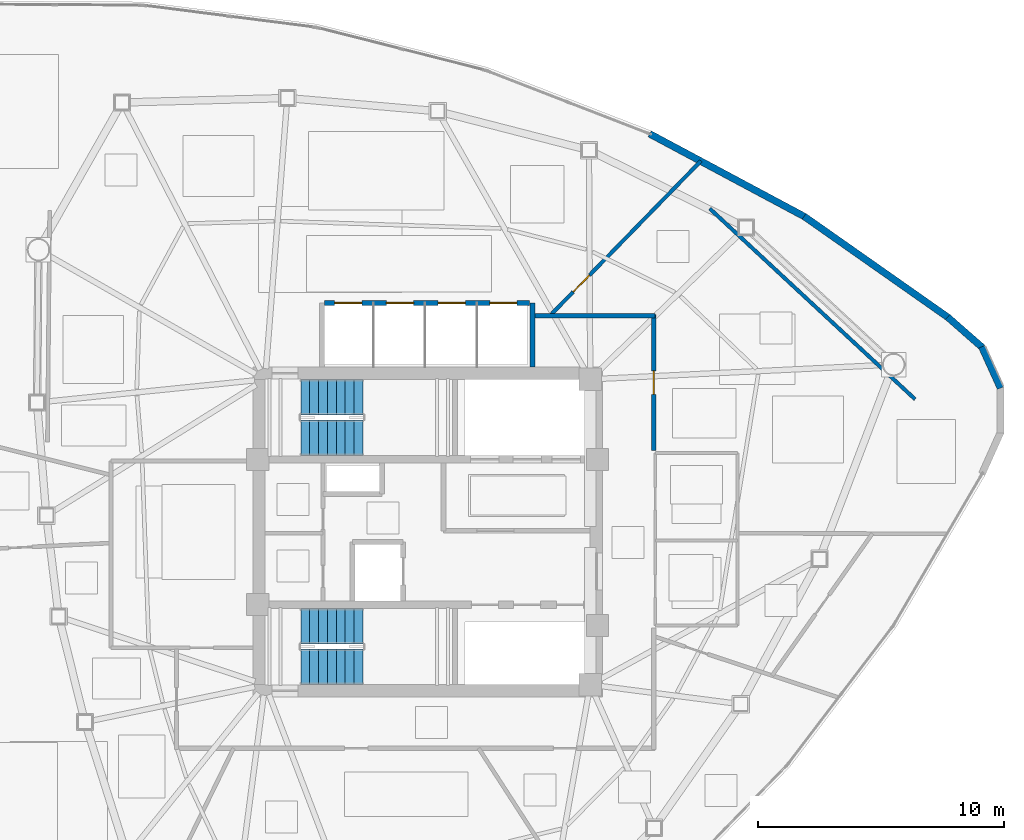
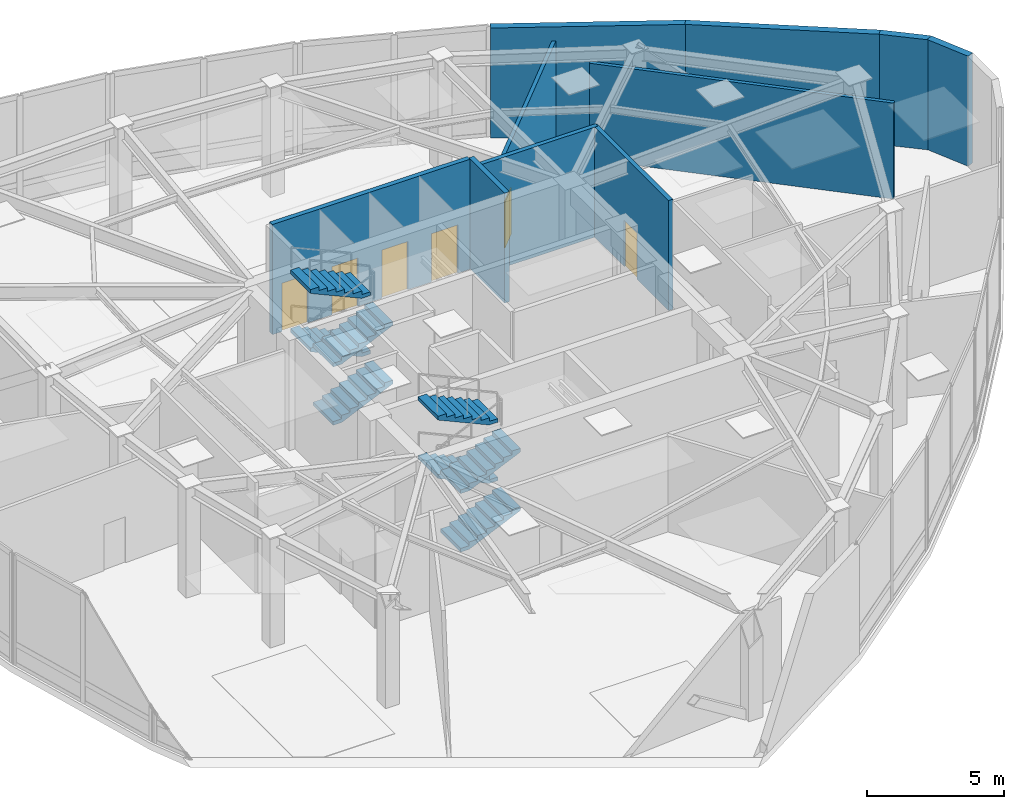
# One storey, part 10 of 12: 10 walls, 8 stair flights, 6 doors, 6 openings, 2 elements without a shape of their own.
"""IFC4 building model written with IfcOpenShell, lengths in metres."""

from ifc_helpers import new_model, si_unit, direction, frame, frame_2d, origin, place, context, subcontext, project, spatial, polyline, rectangle, outline, extrude, material, layer, layer_set, type_object, element, fill, aggregate, save


model = new_model("IFC4")

# Units and contexts
model_context = context("Model", 3, precision=1e-05, world=origin(), true_north=direction((0.0, 1.0)))
body_context = subcontext(model_context, "Body", "Model", "MODEL_VIEW")
ifc_project = project(units=[si_unit("LENGTHUNIT", "METRE"), si_unit("AREAUNIT", "SQUARE_METRE"), si_unit("VOLUMEUNIT", "CUBIC_METRE"), si_unit("PLANEANGLEUNIT", "RADIAN"), si_unit("MASSUNIT", "GRAM", prefix="KILO")], contexts=[model_context])

# Site, building, storey
site_placement = place(None, origin())
site = spatial("IfcSite", under=ifc_project, at=site_placement, CompositionType="ELEMENT")
building_placement = place(site_placement, origin())
building = spatial("IfcBuilding", under=site, at=building_placement, Name="Tavelor Broadcast Tower", CompositionType="ELEMENT")
storey_placement = place(building_placement, frame((0.0, 0.0, 216.949951171875)))
storey = spatial("IfcBuildingStorey", under=building, at=storey_placement, Name="L51", CompositionType="ELEMENT", Elevation=216.949951171875)

# Wall
ifc_material_1 = material(Name="Calcium Silicate Fire Board 180 mm", Category="gypsum")
ifc_layer_1 = layer(ifc_material_1, 0.179931640625)
ifc_layer_set_1 = layer_set([ifc_layer_1], Name="Calcium Silicate Fire Board 180 mm")
wall_type_1 = type_object("IfcWallType", Name="Fire-Rated Corridor Partition Wall 180 mm", PredefinedType="PARTITIONING", material=ifc_layer_set_1)
wall_1_placement = place(storey_placement, frame((54.300048828125, 53.780029296875, 0.0), z_axis=(0.0, 0.0, 1.0), x_axis=(1.0, 0.0, 0.0)))
element("IfcWall", 1, at=wall_1_placement, inside=storey, type_object=wall_type_1, Name="L51 Corridor Compartment Wall 01", PredefinedType="PARTITIONING", context=body_context, shape_type="SweptSolid", body=[
    extrude(rectangle(XDim=4.929931640625, YDim=0.179931640625, at=frame_2d((2.46484375, 0.0))), origin(), (0.0, 0.0, 1.0), 4.900146484375),
])

# Wall, opening, door
wall_2_placement = place(storey_placement, frame((59.179931640625, 53.830078125, 0.0), z_axis=(0.0, 0.0, 1.0), x_axis=(0.0, -1.0, 0.0)))
wall_2 = element("IfcWall", 2, at=wall_2_placement, inside=storey, type_object=wall_type_1, Name="L51 Corridor Compartment Wall 02", PredefinedType="PARTITIONING", context=body_context, shape_type="SweptSolid", body=[
    extrude(rectangle(XDim=5.530029296875, YDim=0.179931640625, at=frame_2d((2.76513671875, 0.0))), origin(), (0.0, 0.0, 1.0), 4.900146484375),
])
opening_1_placement = place(wall_2_placement, frame((2.2900390625, 0.0, 0.0)))
opening_1 = element("IfcOpeningElement", 3, at=opening_1_placement, cuts=wall_2, Name="Opening DR18", PredefinedType="OPENING", context=body_context, shape_type="SweptSolid", body=[
    extrude(rectangle(XDim=0.949951171875, YDim=2.050048828125, at=frame_2d((0.47509765625, 1.02490234375))), frame((0.0, 0.10009765625, 0.0), z_axis=(0.0, -1.0, 0.0), x_axis=(1.0, 0.0, 0.0)), (0.0, 0.0, 1.0), 0.199951171875),
])
ifc_material_2 = material(Name="Timber Solid Core Hardwood", Category="wood")
door_type_1 = type_object("IfcDoorType", Name="Corridor Rated Compartment Door 950x2050", OperationType="NOTDEFINED", PredefinedType="DOOR", material=ifc_material_2)
door_1_placement = place(opening_1_placement, origin())
door_1 = element("IfcDoor", 4, at=door_1_placement, inside=storey, type_object=door_type_1, Name="L51 Press Concierge Desk Door R0", OperationType="SINGLE_SWING_RIGHT", OverallHeight=2.050048828125, OverallWidth=0.949951171875, PredefinedType="DOOR", context=body_context, shape_type="SweptSolid", body=[
    extrude(rectangle(XDim=0.949951171875, YDim=2.050048828125, at=frame_2d((0.47509765625, 1.02490234375))), frame((0.0, 0.02490234375, 0.0), z_axis=(0.0, -1.0, 0.0), x_axis=(1.0, 0.0, 0.0)), (0.0, 0.0, 1.0), 0.050048828125),
])
fill(opening_1, door_1)

# Walls
ifc_material_3 = material(Name="Precast Concrete C40/50", Category="concrete")
ifc_layer_2 = layer(ifc_material_3, 0.280029296875)
ifc_layer_set_2 = layer_set([ifc_layer_2], Name="Precast Concrete C40/50")
wall_type_2 = type_object("IfcWallType", Name="Insulated Precast Terracotta Facade Wall 280 mm", PredefinedType="STANDARD", material=ifc_layer_set_2)
wall_3_placement = place(storey_placement, frame((73.26123046875, 50.841796875, 0.0), z_axis=(0.0, 0.0, 1.0), x_axis=(-0.413922618183, 0.910312070752, 0.0)))
element("IfcWall", 5, at=wall_3_placement, inside=storey, type_object=wall_type_2, Name="L51 Rounded Corner Structural Cladding Pier 23", PredefinedType="STANDARD", context=body_context, shape_type="SweptSolid", body=[
    extrude(rectangle(XDim=1.844482421875, YDim=0.280029296875, at=frame_2d((0.92236328125, 0.0))), origin(), (0.0, 0.0, 1.0), 4.900146484375),
])
wall_4_placement = place(storey_placement, frame((72.515380859375, 52.497314453125, 0.0), z_axis=(0.0, 0.0, 1.0), x_axis=(-0.751879649431, 0.659300381292, 0.0)))
element("IfcWall", 6, at=wall_4_placement, inside=storey, type_object=wall_type_2, Name="L51 Rounded Corner Structural Cladding Pier 24", PredefinedType="STANDARD", context=body_context, shape_type="SweptSolid", body=[
    extrude(rectangle(XDim=1.8671875, YDim=0.280029296875, at=frame_2d((0.93359375, 0.0))), origin(), (0.0, 0.0, 1.0), 4.900146484375),
])
wall_5_placement = place(storey_placement, frame((71.135009765625, 53.709716796875, 0.0), z_axis=(0.0, 0.0, 1.0), x_axis=(-0.818379197985, 0.574678595656, 0.0)))
element("IfcWall", 7, at=wall_5_placement, inside=storey, type_object=wall_type_2, Name="L51 Rounded Corner Structural Cladding Pier 25", PredefinedType="STANDARD", context=body_context, shape_type="SweptSolid", body=[
    extrude(rectangle(XDim=7.14990234375, YDim=0.280029296875, at=frame_2d((3.574951171875, 0.0))), origin(), (0.0, 0.0, 1.0), 4.900146484375),
])
wall_6_placement = place(storey_placement, frame((65.309326171875, 57.802734375, 0.0), z_axis=(0.0, 0.0, 1.0), x_axis=(-0.881918919903, 0.471401122948, 0.0)))
element("IfcWall", 8, at=wall_6_placement, inside=storey, type_object=wall_type_2, Name="L51 Rounded Corner Structural Cladding Pier 26", PredefinedType="STANDARD", context=body_context, shape_type="SweptSolid", body=[
    extrude(rectangle(XDim=7.1376953125, YDim=0.280029296875, at=frame_2d((3.56884765625, 0.0))), origin(), (0.0, 0.0, 1.0), 4.900146484375),
])
ifc_material_4 = material(Name="Gypsum Acoustic Plasterboard 150 mm", Category="gypsum")
ifc_layer_3 = layer(ifc_material_4, 0.14990234375)
ifc_layer_set_3 = layer_set([ifc_layer_3], Name="Gypsum Acoustic Plasterboard 150 mm")
wall_type_3 = type_object("IfcWallType", Name="Interior Acoustic Partition Wall 150 mm", PredefinedType="PARTITIONING", material=ifc_layer_set_3)
wall_7_placement = place(storey_placement, frame((69.79248046875, 50.387939453125, 0.0), z_axis=(0.0, 0.0, 1.0), x_axis=(-0.732769799181, 0.680476613418, 0.0)))
element("IfcWall", 9, at=wall_7_placement, inside=storey, type_object=wall_type_3, Name="L51 Corner Tube Brace Furring Wall 3", PredefinedType="PARTITIONING", context=body_context, shape_type="SweptSolid", body=[
    extrude(rectangle(XDim=11.377685546875, YDim=0.14990234375, at=frame_2d((5.68896484375, 0.0))), origin(), (0.0, 0.0, 1.0), 4.275146484375),
])

# Wall, opening, door
wall_8_placement = place(storey_placement, frame((54.96240234375, 53.780029296875, 0.0), z_axis=(0.0, 0.0, 1.0), x_axis=(0.698183146772, 0.715919194856, 0.0)))
wall_8 = element("IfcWall", 10, at=wall_8_placement, inside=storey, type_object=wall_type_3, Name="L51 Radial Compartment Wall 05", PredefinedType="PARTITIONING", context=body_context, shape_type="SweptSolid", body=[
    extrude(rectangle(XDim=8.7822265625, YDim=0.14990234375, at=frame_2d((4.39111328125, 0.0))), origin(), (0.0, 0.0, 1.0), 4.275146484375),
])
opening_2_placement = place(wall_8_placement, frame((1.35009765625, 0.0, 0.0)))
opening_2 = element("IfcOpeningElement", 11, at=opening_2_placement, cuts=wall_8, Name="Opening DR18", PredefinedType="OPENING", context=body_context, shape_type="SweptSolid", body=[
    extrude(rectangle(XDim=0.949951171875, YDim=2.050048828125, at=frame_2d((0.47509765625, 1.02490234375))), frame((0.0, 0.0849609375, 0.0), z_axis=(0.0, -1.0, 0.0), x_axis=(1.0, 0.0, 0.0)), (0.0, 0.0, 1.0), 0.169921875),
])
door_2_placement = place(opening_2_placement, origin())
door_2 = element("IfcDoor", 12, at=door_2_placement, inside=storey, type_object=door_type_1, Name="L51 Suite Connecting Door 6", OperationType="SINGLE_SWING_LEFT", OverallHeight=2.050048828125, OverallWidth=0.949951171875, PredefinedType="DOOR", context=body_context, shape_type="SweptSolid", body=[
    extrude(rectangle(XDim=0.949951171875, YDim=2.050048828125, at=frame_2d((0.47509765625, 1.02490234375))), frame((0.0, 0.02490234375, 0.0), z_axis=(0.0, -1.0, 0.0), x_axis=(1.0, 0.0, 0.0)), (0.0, 0.0, 1.0), 0.050048828125),
])
fill(opening_2, door_2)

# Wall, openings, doors
ifc_material_5 = material(Name="Concrete Blockwork 200 mm", Category="masonry")
ifc_layer_4 = layer(ifc_material_5, 0.199951171875)
ifc_layer_set_4 = layer_set([ifc_layer_4], Name="Concrete Blockwork 200 mm")
wall_type_4 = type_object("IfcWallType", Name="Lift Hoistway Rated Front Wall 200 mm", PredefinedType="PARTITIONING", material=ifc_layer_set_4)
wall_9_placement = place(storey_placement, frame((45.820068359375, 54.300048828125, 0.0), z_axis=(0.0, 0.0, 1.0), x_axis=(1.0, 0.0, 0.0)))
wall_9 = element("IfcWall", 13, at=wall_9_placement, inside=storey, type_object=wall_type_4, Name="L51 High-Rise Lift Hoistway Front Wall", PredefinedType="PARTITIONING", context=body_context, shape_type="SweptSolid", body=[
    extrude(rectangle(XDim=8.309814453125, YDim=0.199951171875, at=frame_2d((4.15478515625, 0.0))), origin(), (0.0, 0.0, 1.0), 4.900146484375),
])
opening_3_placement = place(wall_9_placement, frame((0.405029296875, 0.0, 0.0)))
opening_3 = element("IfcOpeningElement", 14, at=opening_3_placement, cuts=wall_9, Name="Opening LD01", PredefinedType="OPENING", context=body_context, shape_type="SweptSolid", body=[
    extrude(rectangle(XDim=1.10009765625, YDim=2.14990234375, at=frame_2d((0.550048828125, 1.074951171875))), frame((0.0, 0.10986328125, 0.0), z_axis=(0.0, -1.0, 0.0), x_axis=(1.0, 0.0, 0.0)), (0.0, 0.0, 1.0), 0.219970703125),
])
opening_4_placement = place(wall_9_placement, frame((2.5048828125, 0.0, 0.0)))
opening_4 = element("IfcOpeningElement", 15, at=opening_4_placement, cuts=wall_9, Name="Opening LD01", PredefinedType="OPENING", context=body_context, shape_type="SweptSolid", body=[
    extrude(rectangle(XDim=1.10009765625, YDim=2.14990234375, at=frame_2d((0.550048828125, 1.074951171875))), frame((0.0, 0.10986328125, 0.0), z_axis=(0.0, -1.0, 0.0), x_axis=(1.0, 0.0, 0.0)), (0.0, 0.0, 1.0), 0.219970703125),
])
opening_5_placement = place(wall_9_placement, frame((4.60498046875, 0.0, 0.0)))
opening_5 = element("IfcOpeningElement", 16, at=opening_5_placement, cuts=wall_9, Name="Opening LD01", PredefinedType="OPENING", context=body_context, shape_type="SweptSolid", body=[
    extrude(rectangle(XDim=1.10009765625, YDim=2.14990234375, at=frame_2d((0.550048828125, 1.074951171875))), frame((0.0, 0.10986328125, 0.0), z_axis=(0.0, -1.0, 0.0), x_axis=(1.0, 0.0, 0.0)), (0.0, 0.0, 1.0), 0.219970703125),
])
opening_6_placement = place(wall_9_placement, frame((6.705078125, 0.0, 0.0)))
opening_6 = element("IfcOpeningElement", 17, at=opening_6_placement, cuts=wall_9, Name="Opening LD01", PredefinedType="OPENING", context=body_context, shape_type="SweptSolid", body=[
    extrude(rectangle(XDim=1.10009765625, YDim=2.14990234375, at=frame_2d((0.550048828125, 1.074951171875))), frame((0.0, 0.10986328125, 0.0), z_axis=(0.0, -1.0, 0.0), x_axis=(1.0, 0.0, 0.0)), (0.0, 0.0, 1.0), 0.219970703125),
])
ifc_material_6 = material(Name="Brushed Stainless Steel", Category="steel")
door_type_2 = type_object("IfcDoorType", Name="Passenger Lift Sliding Landing Door 1100x2150", OperationType="NOTDEFINED", PredefinedType="DOOR", material=ifc_material_6)
door_3_placement = place(opening_3_placement, origin())
door_3 = element("IfcDoor", 18, at=door_3_placement, inside=storey, type_object=door_type_2, Name="L51 Lift PLH1 Sliding Landing Door", OperationType="SLIDING_TO_LEFT", OverallHeight=2.14990234375, OverallWidth=1.10009765625, PredefinedType="DOOR", context=body_context, shape_type="SweptSolid", body=[
    extrude(rectangle(XDim=1.10009765625, YDim=2.14990234375, at=frame_2d((0.550048828125, 1.074951171875))), frame((0.0, 0.02490234375, 0.0), z_axis=(0.0, -1.0, 0.0), x_axis=(1.0, 0.0, 0.0)), (0.0, 0.0, 1.0), 0.050048828125),
])
fill(opening_3, door_3)
door_4_placement = place(opening_4_placement, origin())
door_4 = element("IfcDoor", 19, at=door_4_placement, inside=storey, type_object=door_type_2, Name="L51 Lift PLH2 Sliding Landing Door", OperationType="SLIDING_TO_RIGHT", OverallHeight=2.14990234375, OverallWidth=1.10009765625, PredefinedType="DOOR", context=body_context, shape_type="SweptSolid", body=[
    extrude(rectangle(XDim=1.10009765625, YDim=2.14990234375, at=frame_2d((0.550048828125, 1.074951171875))), frame((0.0, 0.02490234375, 0.0), z_axis=(0.0, -1.0, 0.0), x_axis=(1.0, 0.0, 0.0)), (0.0, 0.0, 1.0), 0.050048828125),
])
fill(opening_4, door_4)
door_5_placement = place(opening_5_placement, origin())
door_5 = element("IfcDoor", 20, at=door_5_placement, inside=storey, type_object=door_type_2, Name="L51 Lift PLH3 Sliding Landing Door", OperationType="SLIDING_TO_LEFT", OverallHeight=2.14990234375, OverallWidth=1.10009765625, PredefinedType="DOOR", context=body_context, shape_type="SweptSolid", body=[
    extrude(rectangle(XDim=1.10009765625, YDim=2.14990234375, at=frame_2d((0.550048828125, 1.074951171875))), frame((0.0, 0.02490234375, 0.0), z_axis=(0.0, -1.0, 0.0), x_axis=(1.0, 0.0, 0.0)), (0.0, 0.0, 1.0), 0.050048828125),
])
fill(opening_5, door_5)
door_6_placement = place(opening_6_placement, origin())
door_6 = element("IfcDoor", 21, at=door_6_placement, inside=storey, type_object=door_type_2, Name="L51 Lift PLH4 Sliding Landing Door", OperationType="SLIDING_TO_RIGHT", OverallHeight=2.14990234375, OverallWidth=1.10009765625, PredefinedType="DOOR", context=body_context, shape_type="SweptSolid", body=[
    extrude(rectangle(XDim=1.10009765625, YDim=2.14990234375, at=frame_2d((0.550048828125, 1.074951171875))), frame((0.0, 0.02490234375, 0.0), z_axis=(0.0, -1.0, 0.0), x_axis=(1.0, 0.0, 0.0)), (0.0, 0.0, 1.0), 0.050048828125),
])
fill(opening_6, door_6)

# Wall
ifc_layer_5 = layer(ifc_material_5, 0.199951171875)
ifc_layer_set_5 = layer_set([ifc_layer_5], Name="Concrete Blockwork 200 mm")
wall_type_5 = type_object("IfcWallType", Name="Lift and Riser Shaft Enclosure Wall 200 mm", PredefinedType="PARTITIONING", material=ifc_layer_set_5)
wall_10_placement = place(storey_placement, frame((54.25, 51.699951171875, 0.0), z_axis=(0.0, 0.0, 1.0), x_axis=(0.0, 1.0, 0.0)))
element("IfcWall", 22, at=wall_10_placement, inside=storey, type_object=wall_type_5, Name="L51 High-Rise Lift Shaft East Wall", PredefinedType="PARTITIONING", context=body_context, shape_type="SweptSolid", body=[
    extrude(rectangle(XDim=2.60009765625, YDim=0.199951171875, at=frame_2d((1.300048828125, 0.0))), origin(), (0.0, 0.0, 1.0), 4.900146484375),
])

# Stair, stair flights
ifc_material_7 = material(Name="Concrete C40/50", Category="concrete")
stair_type = type_object("IfcStairType", Name="Reinforced Concrete Protected Dogleg Stair 1450 mm", PredefinedType="HALF_TURN_STAIR", material=ifc_material_7)
stair_1_placement = place(storey_placement, origin())
stair_1 = element("IfcStair", 23, at=stair_1_placement, inside=storey, type_object=stair_type, Name="L51 Protected Core Exit Stair ST1", PredefinedType="HALF_TURN_STAIR")
stair_flight_type = type_object("IfcStairFlightType", Name="Reinforced Concrete Stair Flight 1450 mm", PredefinedType="STRAIGHT", material=ifc_material_7)
stair_flight_1_placement = place(storey_placement, frame((44.85009765625, 48.824951171875, 0.0), z_axis=(0.0, 0.0, 1.0), x_axis=(1.0, 0.0, 0.0)))
stair_flight_1 = element("IfcStairFlight", 24, at=stair_flight_1_placement, type_object=stair_flight_type, Name="ST1 flight 1", NumberOfRisers=8, NumberOfTreads=7, PredefinedType="STRAIGHT", RiserHeight=0.1625, TreadLength=0.36, context=body_context, shape_type="SweptSolid", body=[
    extrude(outline(polyline([(0.0, 0.0), (0.0, 0.16259765625), (0.360107421875, 0.16259765625), (0.360107421875, 0.324951171875), (0.719970703125, 0.324951171875), (0.719970703125, 0.487548828125), (1.080078125, 0.487548828125), (1.080078125, 0.64990234375), (1.43994140625, 0.64990234375), (1.43994140625, 0.8125), (1.800048828125, 0.8125), (1.800048828125, 0.97509765625), (2.159912109375, 0.97509765625), (2.159912109375, 1.137451171875), (2.52001953125, 1.137451171875), (2.52001953125, 1.300048828125), (2.52001953125, 0.97314453125), (0.3642578125, 0.0), (0.0, 0.0)])), frame((0.0, 0.72509765625, 0.0), z_axis=(0.0, -1.0, 0.0), x_axis=(1.0, 0.0, 0.0)), (0.0, 0.0, 1.0), 1.449951171875),
])
stair_flight_2_placement = place(storey_placement, frame((47.3701171875, 50.47509765625, 1.300048828125), z_axis=(0.0, 0.0, 1.0), x_axis=(-1.0, 0.0, 0.0)))
stair_flight_2 = element("IfcStairFlight", 25, at=stair_flight_2_placement, type_object=stair_flight_type, Name="ST1 flight 2", NumberOfRisers=8, NumberOfTreads=7, PredefinedType="STRAIGHT", RiserHeight=0.1625, TreadLength=0.36, context=body_context, shape_type="SweptSolid", body=[
    extrude(outline(polyline([(0.0, 0.0), (0.0, 0.16259765625), (0.360107421875, 0.16259765625), (0.360107421875, 0.324951171875), (0.719970703125, 0.324951171875), (0.719970703125, 0.487548828125), (1.080078125, 0.487548828125), (1.080078125, 0.64990234375), (1.43994140625, 0.64990234375), (1.43994140625, 0.8125), (1.800048828125, 0.8125), (1.800048828125, 0.97509765625), (2.159912109375, 0.97509765625), (2.159912109375, 1.137451171875), (2.52001953125, 1.137451171875), (2.52001953125, 1.300048828125), (2.52001953125, 0.97314453125), (0.3642578125, 0.0), (0.0, 0.0)])), frame((0.0, 0.72509765625, 0.0), z_axis=(0.0, -1.0, 0.0), x_axis=(1.0, 0.0, 0.0)), (0.0, 0.0, 1.0), 1.449951171875),
])
stair_flight_3_placement = place(storey_placement, frame((44.85009765625, 48.824951171875, 2.60009765625), z_axis=(0.0, 0.0, 1.0), x_axis=(1.0, 0.0, 0.0)))
stair_flight_3 = element("IfcStairFlight", 26, at=stair_flight_3_placement, type_object=stair_flight_type, Name="ST1 flight 3", NumberOfRisers=8, NumberOfTreads=7, PredefinedType="STRAIGHT", RiserHeight=0.1625, TreadLength=0.36, context=body_context, shape_type="SweptSolid", body=[
    extrude(outline(polyline([(0.0, 0.0), (0.0, 0.16259765625), (0.360107421875, 0.16259765625), (0.360107421875, 0.324951171875), (0.719970703125, 0.324951171875), (0.719970703125, 0.487548828125), (1.080078125, 0.487548828125), (1.080078125, 0.64990234375), (1.43994140625, 0.64990234375), (1.43994140625, 0.8125), (1.800048828125, 0.8125), (1.800048828125, 0.97509765625), (2.159912109375, 0.97509765625), (2.159912109375, 1.137451171875), (2.52001953125, 1.137451171875), (2.52001953125, 1.300048828125), (2.52001953125, 0.97314453125), (0.3642578125, 0.0), (0.0, 0.0)])), frame((0.0, 0.72509765625, 0.0), z_axis=(0.0, -1.0, 0.0), x_axis=(1.0, 0.0, 0.0)), (0.0, 0.0, 1.0), 1.449951171875),
])
stair_flight_4_placement = place(storey_placement, frame((47.3701171875, 50.47509765625, 3.900146484375), z_axis=(0.0, 0.0, 1.0), x_axis=(-1.0, 0.0, 0.0)))
stair_flight_4 = element("IfcStairFlight", 27, at=stair_flight_4_placement, type_object=stair_flight_type, Name="ST1 flight 4", NumberOfRisers=8, NumberOfTreads=7, PredefinedType="STRAIGHT", RiserHeight=0.1625, TreadLength=0.36, context=body_context, shape_type="SweptSolid", body=[
    extrude(outline(polyline([(0.0, 0.0), (0.0, 0.16259765625), (0.360107421875, 0.16259765625), (0.360107421875, 0.324951171875), (0.719970703125, 0.324951171875), (0.719970703125, 0.487548828125), (1.080078125, 0.487548828125), (1.080078125, 0.64990234375), (1.43994140625, 0.64990234375), (1.43994140625, 0.8125), (1.800048828125, 0.8125), (1.800048828125, 0.97509765625), (2.159912109375, 0.97509765625), (2.159912109375, 1.137451171875), (2.52001953125, 1.137451171875), (2.52001953125, 1.300048828125), (2.52001953125, 0.97314453125), (0.3642578125, 0.0), (0.0, 0.0)])), frame((0.0, 0.72509765625, 0.0), z_axis=(0.0, -1.0, 0.0), x_axis=(1.0, 0.0, 0.0)), (0.0, 0.0, 1.0), 1.449951171875),
])
aggregate(stair_1, [stair_flight_1, stair_flight_2, stair_flight_3, stair_flight_4])

stair_2_placement = place(storey_placement, origin())
stair_2 = element("IfcStair", 28, at=stair_2_placement, inside=storey, type_object=stair_type, Name="L51 Protected Core Exit Stair ST2", PredefinedType="HALF_TURN_STAIR")
stair_flight_5_placement = place(storey_placement, frame((44.85009765625, 39.52490234375, 0.0), z_axis=(0.0, 0.0, 1.0), x_axis=(1.0, 0.0, 0.0)))
stair_flight_5 = element("IfcStairFlight", 29, at=stair_flight_5_placement, type_object=stair_flight_type, Name="ST2 flight 1", NumberOfRisers=8, NumberOfTreads=7, PredefinedType="STRAIGHT", RiserHeight=0.1625, TreadLength=0.36, context=body_context, shape_type="SweptSolid", body=[
    extrude(outline(polyline([(0.0, 0.0), (0.0, 0.16259765625), (0.360107421875, 0.16259765625), (0.360107421875, 0.324951171875), (0.719970703125, 0.324951171875), (0.719970703125, 0.487548828125), (1.080078125, 0.487548828125), (1.080078125, 0.64990234375), (1.43994140625, 0.64990234375), (1.43994140625, 0.8125), (1.800048828125, 0.8125), (1.800048828125, 0.97509765625), (2.159912109375, 0.97509765625), (2.159912109375, 1.137451171875), (2.52001953125, 1.137451171875), (2.52001953125, 1.300048828125), (2.52001953125, 0.97314453125), (0.3642578125, 0.0), (0.0, 0.0)])), frame((0.0, 0.72509765625, 0.0), z_axis=(0.0, -1.0, 0.0), x_axis=(1.0, 0.0, 0.0)), (0.0, 0.0, 1.0), 1.449951171875),
])
stair_flight_6_placement = place(storey_placement, frame((47.3701171875, 41.175048828125, 1.300048828125), z_axis=(0.0, 0.0, 1.0), x_axis=(-1.0, 0.0, 0.0)))
stair_flight_6 = element("IfcStairFlight", 30, at=stair_flight_6_placement, type_object=stair_flight_type, Name="ST2 flight 2", NumberOfRisers=8, NumberOfTreads=7, PredefinedType="STRAIGHT", RiserHeight=0.1625, TreadLength=0.36, context=body_context, shape_type="SweptSolid", body=[
    extrude(outline(polyline([(0.0, 0.0), (0.0, 0.16259765625), (0.360107421875, 0.16259765625), (0.360107421875, 0.324951171875), (0.719970703125, 0.324951171875), (0.719970703125, 0.487548828125), (1.080078125, 0.487548828125), (1.080078125, 0.64990234375), (1.43994140625, 0.64990234375), (1.43994140625, 0.8125), (1.800048828125, 0.8125), (1.800048828125, 0.97509765625), (2.159912109375, 0.97509765625), (2.159912109375, 1.137451171875), (2.52001953125, 1.137451171875), (2.52001953125, 1.300048828125), (2.52001953125, 0.97314453125), (0.3642578125, 0.0), (0.0, 0.0)])), frame((0.0, 0.72509765625, 0.0), z_axis=(0.0, -1.0, 0.0), x_axis=(1.0, 0.0, 0.0)), (0.0, 0.0, 1.0), 1.449951171875),
])
stair_flight_7_placement = place(storey_placement, frame((44.85009765625, 39.52490234375, 2.60009765625), z_axis=(0.0, 0.0, 1.0), x_axis=(1.0, 0.0, 0.0)))
stair_flight_7 = element("IfcStairFlight", 31, at=stair_flight_7_placement, type_object=stair_flight_type, Name="ST2 flight 3", NumberOfRisers=8, NumberOfTreads=7, PredefinedType="STRAIGHT", RiserHeight=0.1625, TreadLength=0.36, context=body_context, shape_type="SweptSolid", body=[
    extrude(outline(polyline([(0.0, 0.0), (0.0, 0.16259765625), (0.360107421875, 0.16259765625), (0.360107421875, 0.324951171875), (0.719970703125, 0.324951171875), (0.719970703125, 0.487548828125), (1.080078125, 0.487548828125), (1.080078125, 0.64990234375), (1.43994140625, 0.64990234375), (1.43994140625, 0.8125), (1.800048828125, 0.8125), (1.800048828125, 0.97509765625), (2.159912109375, 0.97509765625), (2.159912109375, 1.137451171875), (2.52001953125, 1.137451171875), (2.52001953125, 1.300048828125), (2.52001953125, 0.97314453125), (0.3642578125, 0.0), (0.0, 0.0)])), frame((0.0, 0.72509765625, 0.0), z_axis=(0.0, -1.0, 0.0), x_axis=(1.0, 0.0, 0.0)), (0.0, 0.0, 1.0), 1.449951171875),
])
stair_flight_8_placement = place(storey_placement, frame((47.3701171875, 41.175048828125, 3.900146484375), z_axis=(0.0, 0.0, 1.0), x_axis=(-1.0, 0.0, 0.0)))
stair_flight_8 = element("IfcStairFlight", 32, at=stair_flight_8_placement, type_object=stair_flight_type, Name="ST2 flight 4", NumberOfRisers=8, NumberOfTreads=7, PredefinedType="STRAIGHT", RiserHeight=0.1625, TreadLength=0.36, context=body_context, shape_type="SweptSolid", body=[
    extrude(outline(polyline([(0.0, 0.0), (0.0, 0.16259765625), (0.360107421875, 0.16259765625), (0.360107421875, 0.324951171875), (0.719970703125, 0.324951171875), (0.719970703125, 0.487548828125), (1.080078125, 0.487548828125), (1.080078125, 0.64990234375), (1.43994140625, 0.64990234375), (1.43994140625, 0.8125), (1.800048828125, 0.8125), (1.800048828125, 0.97509765625), (2.159912109375, 0.97509765625), (2.159912109375, 1.137451171875), (2.52001953125, 1.137451171875), (2.52001953125, 1.300048828125), (2.52001953125, 0.97314453125), (0.3642578125, 0.0), (0.0, 0.0)])), frame((0.0, 0.72509765625, 0.0), z_axis=(0.0, -1.0, 0.0), x_axis=(1.0, 0.0, 0.0)), (0.0, 0.0, 1.0), 1.449951171875),
])
aggregate(stair_2, [stair_flight_5, stair_flight_6, stair_flight_7, stair_flight_8])

save(model, "model.ifc")
